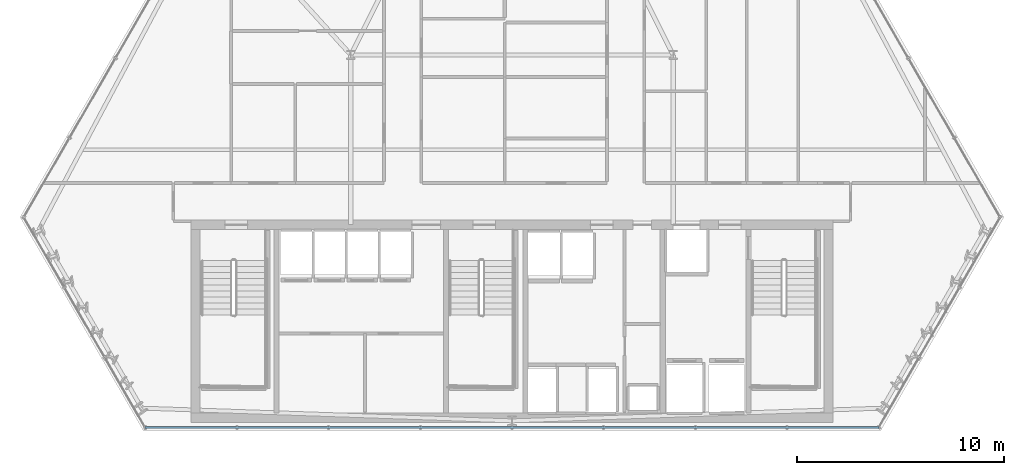
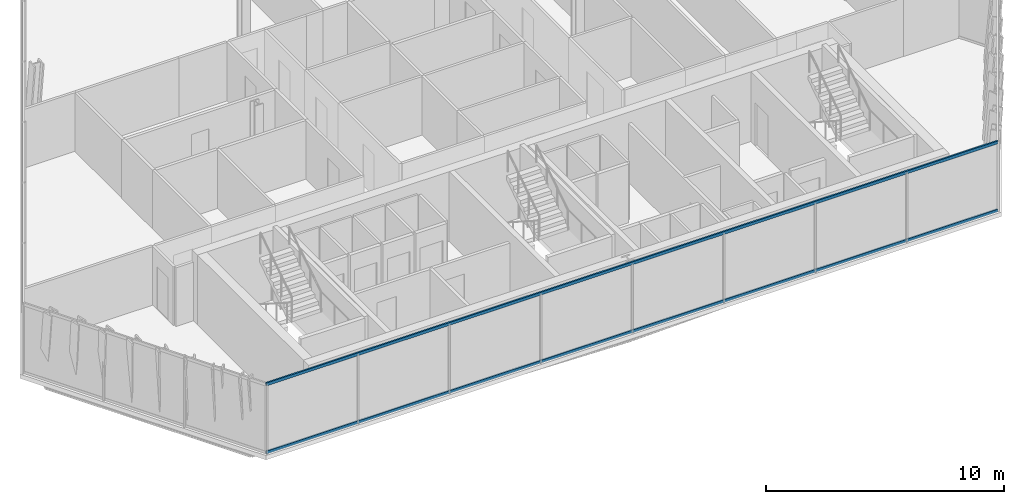
# One storey, part 8 of 31: 2 members, 1 element without a shape of its own.
"""IFC4 building model written with IfcOpenShell, lengths in metres."""

from ifc_helpers import new_model, si_unit, direction, frame, origin, origin_2d, place, context, subcontext, project, spatial, hollow_rectangle, extrude, material, layer, layer_set, material_profile, profile_set, type_object, element, aggregate, save


model = new_model("IFC4")

# Units and contexts
model_context = context("Model", 3, precision=1e-05, world=origin(), true_north=direction((0.0, 1.0)))
body_context = subcontext(model_context, "Body", "Model", "MODEL_VIEW")
ifc_project = project(units=[si_unit("LENGTHUNIT", "METRE"), si_unit("AREAUNIT", "SQUARE_METRE"), si_unit("VOLUMEUNIT", "CUBIC_METRE"), si_unit("PLANEANGLEUNIT", "RADIAN"), si_unit("MASSUNIT", "GRAM", prefix="KILO")], contexts=[model_context])

# Site, building, storey
site_placement = place(None, origin())
site = spatial("IfcSite", under=ifc_project, at=site_placement, CompositionType="ELEMENT")
building_placement = place(site_placement, origin())
building = spatial("IfcBuilding", under=site, at=building_placement, Name="Ndaravel Arena Tower", CompositionType="ELEMENT")
storey_placement = place(building_placement, frame((0.0, 0.0, 146.0)))
storey = spatial("IfcBuildingStorey", under=building, at=storey_placement, Name="L34", CompositionType="ELEMENT", Elevation=146.0)

# Curtain wall, members
ifc_material_1 = material(Name="Aluminium", Category="aluminium")
ifc_layer = layer(ifc_material_1, 0.179931640625)
ifc_layer_set = layer_set([ifc_layer], Name="Aluminium")
curtain_wall_type = type_object("IfcCurtainWallType", Name="CW-SYS-03", PredefinedType="NOTDEFINED", material=ifc_layer_set)
curtain_wall_placement = place(storey_placement, origin())
curtain_wall = element("IfcCurtainWall", 1, at=curtain_wall_placement, inside=storey, type_object=curtain_wall_type, Name="L34 Faceted Crystal Curtain Wall CW-L34-E01", PredefinedType="NOTDEFINED")
ifc_material_2 = material(Name="Aluminium", Category="aluminium")
ifc_material_profile = material_profile(ifc_material_2, hollow_rectangle(XDim=0.074951171875, YDim=0.14990234375, WallThickness=0.00390625, at=origin_2d()), Name="CW TRANSOM 75x150x4")
ifc_profile_set = profile_set([ifc_material_profile], Name="Aluminium")
member_type = type_object("IfcMemberType", Name="MEM-CW-TRN150", PredefinedType="USERDEFINED", material=ifc_profile_set)
member_1_placement = place(storey_placement, frame((24.23974609375, 5.159912109375, 0.0400390625), z_axis=(1.0, 0.0, 0.0), x_axis=(0.0, 1.0, 0.0)))
member_1 = element("IfcMember", 2, at=member_1_placement, type_object=member_type, Name="CW-L34-E01 Transom 01", ObjectType="TRANSOM", PredefinedType="USERDEFINED", context=body_context, shape_type="SweptSolid", body=[
    extrude(hollow_rectangle(XDim=0.074951171875, YDim=0.14990234375, WallThickness=0.00390625, at=origin_2d()), origin(), (0.0, 0.0, 1.0), 35.5205078125),
])
member_2_placement = place(storey_placement, frame((24.23974609375, 5.159912109375, 3.5400390625), z_axis=(1.0, 0.0, 0.0), x_axis=(0.0, 1.0, 0.0)))
member_2 = element("IfcMember", 3, at=member_2_placement, type_object=member_type, Name="CW-L34-E01 Transom 02", ObjectType="TRANSOM", PredefinedType="USERDEFINED", context=body_context, shape_type="SweptSolid", body=[
    extrude(hollow_rectangle(XDim=0.074951171875, YDim=0.14990234375, WallThickness=0.00390625, at=origin_2d()), origin(), (0.0, 0.0, 1.0), 35.5205078125),
])
aggregate(curtain_wall, [member_1, member_2])

save(model, "model.ifc")
